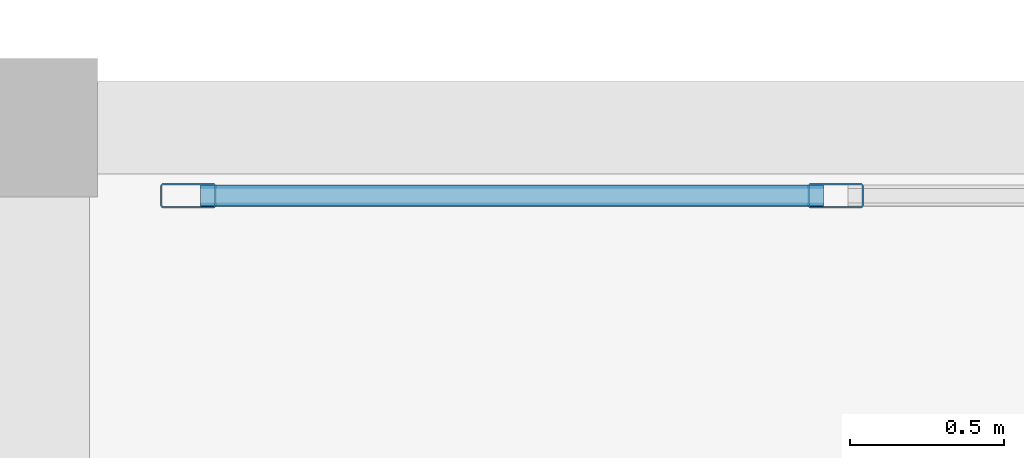
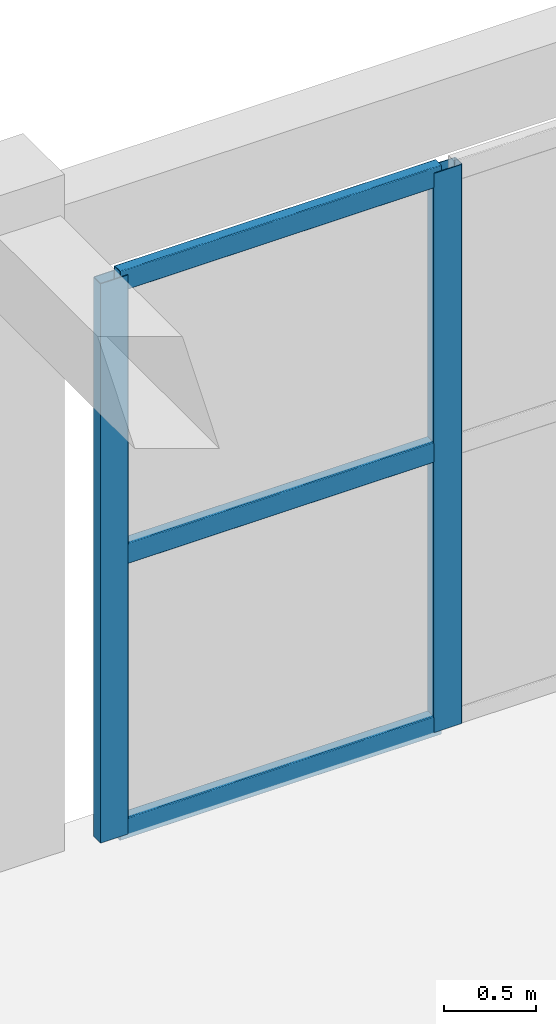
# One storey, part 41 of 92: 5 members, 1 element without a shape of its own.
"""IFC4 building model written with IfcOpenShell, lengths in metres."""

from ifc_helpers import new_model, si_unit, direction, frame, origin, origin_2d, place, context, subcontext, project, spatial, hollow_rectangle, extrude, material, layer, layer_set, material_profile, profile_set, type_object, element, aggregate, save


model = new_model("IFC4")

# Units and contexts
model_context = context("Model", 3, precision=1e-05, world=origin(), true_north=direction((0.0, 1.0)))
body_context = subcontext(model_context, "Body", "Model", "MODEL_VIEW")
ifc_project = project(units=[si_unit("LENGTHUNIT", "METRE"), si_unit("AREAUNIT", "SQUARE_METRE"), si_unit("VOLUMEUNIT", "CUBIC_METRE"), si_unit("PLANEANGLEUNIT", "RADIAN"), si_unit("MASSUNIT", "GRAM", prefix="KILO")], contexts=[model_context])

# Site, building, storey
site_placement = place(None, origin())
site = spatial("IfcSite", under=ifc_project, at=site_placement, CompositionType="ELEMENT")
building_placement = place(site_placement, origin())
building = spatial("IfcBuilding", under=site, at=building_placement, Name="Tarnavel Promenade Courthouse", CompositionType="ELEMENT")
storey_placement = place(building_placement, frame((0.0, 0.0, 5.39990234375)))
storey = spatial("IfcBuildingStorey", under=building, at=storey_placement, Name="L02", CompositionType="ELEMENT", Elevation=5.39990234375)

# Curtain wall, members
ifc_material_1 = material(Name="Thermally Broken Anodised Aluminium Curtain Wall System", Category="aluminium")
ifc_layer = layer(ifc_material_1, 0.199951171875)
ifc_layer_set = layer_set([ifc_layer], Name="Thermally Broken Anodised Aluminium Curtain Wall System")
curtain_wall_type = type_object("IfcCurtainWallType", Name="Thermally Broken Aluminium Triple-Glazed Curtain Wall CW-FOYER", PredefinedType="NOTDEFINED", material=ifc_layer_set)
curtain_wall_placement = place(storey_placement, origin())
curtain_wall = element("IfcCurtainWall", 1, at=curtain_wall_placement, inside=storey, type_object=curtain_wall_type, Name="L02 North Foyer Curtain Wall A 136", PredefinedType="NOTDEFINED")
ifc_material_2 = material(Name="Thermally Broken Anodised Aluminium Frame", Category="aluminium")
ifc_material_profile_1 = material_profile(ifc_material_2, hollow_rectangle(XDim=0.080078125, YDim=0.179931640625, WallThickness=0.0048828125, InnerFilletRadius=0.0048828125, OuterFilletRadius=0.010009765625, at=origin_2d()), Name="CWM 180x80x5")
ifc_profile_set_1 = profile_set([ifc_material_profile_1], Name="Thermally Broken Anodised Aluminium Frame")
member_type_1 = type_object("IfcMemberType", Name="Thermally Broken Anodised Aluminium CWM-155 (CWM 180x80x5)", PredefinedType="MULLION", material=ifc_profile_set_1)
member_1_placement = place(storey_placement, frame((92.919921875, 112.580078125, 0.0), z_axis=(0.0, 0.0, 1.0), x_axis=(0.0, 1.0, 0.0)))
member_1 = element("IfcMember", 2, at=member_1_placement, type_object=member_type_1, Name="CW-04 mullion 1", PredefinedType="MULLION", context=body_context, shape_type="SweptSolid", body=[
    extrude(hollow_rectangle(XDim=0.080078125, YDim=0.179931640625, WallThickness=0.0048828125, InnerFilletRadius=0.0048828125, OuterFilletRadius=0.010009765625, at=origin_2d()), origin(), (0.0, 0.0, 1.0), 3.72021484375),
])
member_2_placement = place(storey_placement, frame((95.02001953125, 112.580078125, 0.0), z_axis=(0.0, 0.0, 1.0), x_axis=(0.0, 1.0, 0.0)))
member_2 = element("IfcMember", 3, at=member_2_placement, type_object=member_type_1, Name="CW-04 mullion 2", PredefinedType="MULLION", context=body_context, shape_type="SweptSolid", body=[
    extrude(hollow_rectangle(XDim=0.080078125, YDim=0.179931640625, WallThickness=0.0048828125, InnerFilletRadius=0.0048828125, OuterFilletRadius=0.010009765625, at=origin_2d()), origin(), (0.0, 0.0, 1.0), 3.72021484375),
])
ifc_material_profile_2 = material_profile(ifc_material_2, hollow_rectangle(XDim=0.070068359375, YDim=0.139892578125, WallThickness=0.0048828125, InnerFilletRadius=0.0048828125, OuterFilletRadius=0.010009765625, at=origin_2d()), Name="CWT 140x70x5")
ifc_profile_set_2 = profile_set([ifc_material_profile_2], Name="Thermally Broken Anodised Aluminium Frame")
member_type_2 = type_object("IfcMemberType", Name="Thermally Broken Anodised Aluminium CWT-125 (CWT 140x70x5)", PredefinedType="USERDEFINED", material=ifc_profile_set_2)
member_3_placement = place(storey_placement, frame((92.9599609375, 112.580078125, 0.03515625), z_axis=(1.0, 0.0, 0.0), x_axis=(0.0, 1.0, 0.0)))
member_3 = element("IfcMember", 4, at=member_3_placement, type_object=member_type_2, Name="CW-04 transom 1.1", ObjectType="TRANSOM", PredefinedType="USERDEFINED", context=body_context, shape_type="SweptSolid", body=[
    extrude(hollow_rectangle(XDim=0.070068359375, YDim=0.139892578125, WallThickness=0.0048828125, InnerFilletRadius=0.0048828125, OuterFilletRadius=0.010009765625, at=origin_2d()), origin(), (0.0, 0.0, 1.0), 2.02001953125),
])
member_4_placement = place(storey_placement, frame((92.9599609375, 112.580078125, 1.860107421875), z_axis=(1.0, 0.0, 0.0), x_axis=(0.0, 1.0, 0.0)))
member_4 = element("IfcMember", 5, at=member_4_placement, type_object=member_type_2, Name="CW-04 transom 1.2", ObjectType="TRANSOM", PredefinedType="USERDEFINED", context=body_context, shape_type="SweptSolid", body=[
    extrude(hollow_rectangle(XDim=0.070068359375, YDim=0.139892578125, WallThickness=0.0048828125, InnerFilletRadius=0.0048828125, OuterFilletRadius=0.010009765625, at=origin_2d()), origin(), (0.0, 0.0, 1.0), 2.02001953125),
])
member_5_placement = place(storey_placement, frame((92.9599609375, 112.580078125, 3.68505859375), z_axis=(1.0, 0.0, 0.0), x_axis=(0.0, 1.0, 0.0)))
member_5 = element("IfcMember", 6, at=member_5_placement, type_object=member_type_2, Name="CW-04 transom 1.3", ObjectType="TRANSOM", PredefinedType="USERDEFINED", context=body_context, shape_type="SweptSolid", body=[
    extrude(hollow_rectangle(XDim=0.070068359375, YDim=0.139892578125, WallThickness=0.0048828125, InnerFilletRadius=0.0048828125, OuterFilletRadius=0.010009765625, at=origin_2d()), origin(), (0.0, 0.0, 1.0), 2.02001953125),
])
aggregate(curtain_wall, [member_1, member_2, member_3, member_4, member_5])

save(model, "model.ifc")
